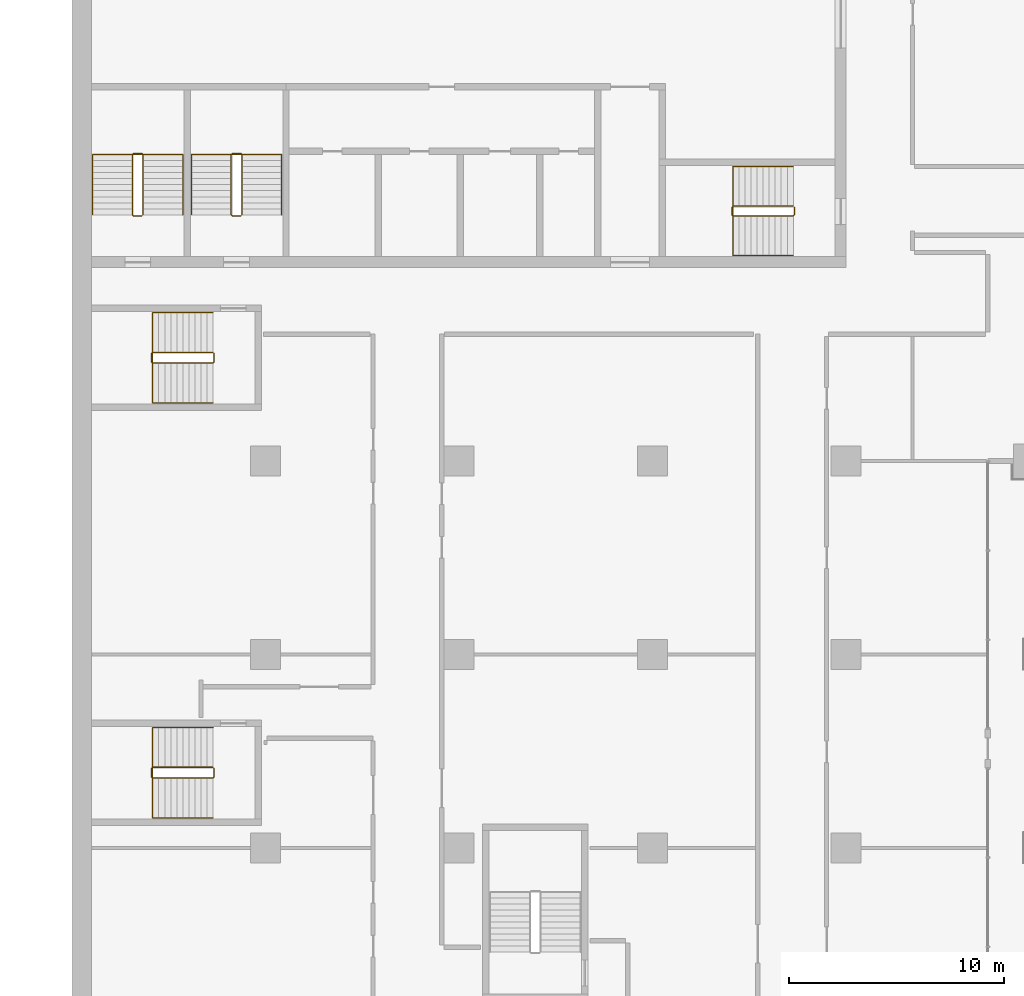
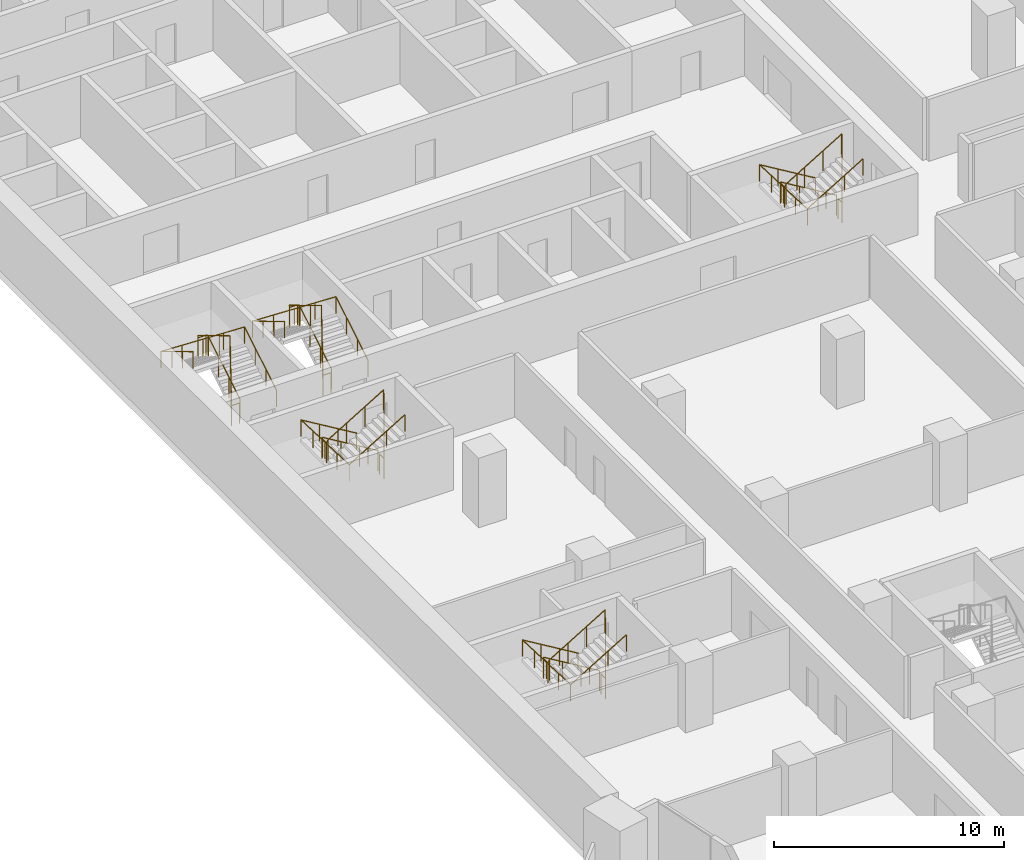
# One storey, part 25 of 28: 10 railings.
"""IFC4 building model written with IfcOpenShell, lengths in metres."""

from ifc_helpers import new_model, si_unit, direction, frame, origin, origin_2d, place, context, subcontext, project, spatial, circle, extrude, material, type_object, element, save


model = new_model("IFC4")

# Units and contexts
model_context = context("Model", 3, precision=1e-05, world=origin(), true_north=direction((0.0, 1.0)))
body_context = subcontext(model_context, "Body", "Model", "MODEL_VIEW")
ifc_project = project(units=[si_unit("LENGTHUNIT", "METRE"), si_unit("AREAUNIT", "SQUARE_METRE"), si_unit("VOLUMEUNIT", "CUBIC_METRE"), si_unit("PLANEANGLEUNIT", "RADIAN"), si_unit("MASSUNIT", "GRAM", prefix="KILO")], contexts=[model_context])

# Site, building, storey
site_placement = place(None, origin())
site = spatial("IfcSite", under=ifc_project, at=site_placement, CompositionType="ELEMENT")
building_placement = place(site_placement, origin())
building = spatial("IfcBuilding", under=site, at=building_placement, Name="Hunhe Ridgeline Campus", CompositionType="ELEMENT")
storey_placement = place(building_placement, frame((0.0, 0.0, 39.5)))
storey = spatial("IfcBuildingStorey", under=building, at=storey_placement, Name="L08", CompositionType="ELEMENT", Elevation=39.5)

# Railings
ifc_material_1 = material(Name="Stainless steel balustrade", Category="steel")
railing_type_1 = type_object("IfcRailingType", Name="Stair guard 1100 stainless", PredefinedType="GUARDRAIL", material=ifc_material_1)
railing_1_placement = place(storey_placement, frame((33.550048828125, 65.85009765625, 0.168212890625)))
element("IfcRailing", 1, at=railing_1_placement, inside=storey, type_object=railing_type_1, Name="L08 stair S2 guard", PredefinedType="GUARDRAIL", context=body_context, shape_type="SweptSolid", body=[
    extrude(circle(Radius=0.02392578125, at=origin_2d()), frame((0.0, 0.0, 1.076171875), z_axis=(-0.857242210791, 0.0, 0.514913383045), x_axis=(0.0, -1.0, 0.0)), (0.0, 0.0, 1.0), 3.266357421875),
    extrude(circle(Radius=0.02392578125, at=origin_2d()), frame((-2.800048828125, 0.0, 2.7578125), z_axis=(-0.707106781187, -0.707106781187, 0.0), x_axis=(0.707106781187, -0.707106781187, 0.0)), (0.0, 0.0, 1.0), 0.07080078125),
    extrude(circle(Radius=0.02392578125, at=origin_2d()), frame((-2.85009765625, -0.050048828125, 2.7578125), z_axis=(0.0, -1.0, 0.0), x_axis=(1.0, 0.0, 0.0)), (0.0, 0.0, 1.0), 0.35009765625),
    extrude(circle(Radius=0.02392578125, at=origin_2d()), frame((-2.85009765625, -0.400146484375, 2.7578125), z_axis=(0.274582412415, -0.274582412415, 0.921525364591), x_axis=(0.707106781187, 0.707106781187, 0.0)), (0.0, 0.0, 1.0), 0.182373046875),
    extrude(circle(Radius=0.02392578125, at=origin_2d()), frame((-2.800048828125, -0.4501953125, 2.92578125), z_axis=(0.857242210791, 0.0, 0.514913383045), x_axis=(0.0, 1.0, 0.0)), (0.0, 0.0, 1.0), 3.266357421875),
    extrude(circle(Radius=0.02392578125, at=origin_2d()), frame((0.0, -0.4501953125, 4.60791015625), z_axis=(0.013524414389, 0.013524414389, -0.999817073484), x_axis=(-0.707106781187, 0.707106781187, 0.0)), (0.0, 0.0, 1.0), 3.70068359375),
    extrude(circle(Radius=0.02392578125, at=origin_2d()), frame((0.050048828125, -0.400146484375, 0.90771484375), z_axis=(0.0, 1.0, 0.0), x_axis=(-1.0, 0.0, 0.0)), (0.0, 0.0, 1.0), 0.35009765625),
    extrude(circle(Radius=0.02099609375, at=origin_2d()), origin(), (0.0, 0.0, 1.0), 1.052001953125),
    extrude(circle(Radius=0.02099609375, at=origin_2d()), frame((-0.933349609375, 0.0, 0.560546875)), (0.0, 0.0, 1.0), 1.052001953125),
    extrude(circle(Radius=0.02099609375, at=origin_2d()), frame((-1.86669921875, 0.0, 1.121337890625)), (0.0, 0.0, 1.0), 1.052001953125),
    extrude(circle(Radius=0.02099609375, at=origin_2d()), frame((-2.800048828125, 0.0, 1.681884765625)), (0.0, 0.0, 1.0), 1.052001953125),
    extrude(circle(Radius=0.02099609375, at=origin_2d()), frame((-2.85009765625, -0.050048828125, 1.681884765625)), (0.0, 0.0, 1.0), 1.052001953125),
    extrude(circle(Radius=0.02099609375, at=origin_2d()), frame((-2.85009765625, -0.400146484375, 1.681884765625)), (0.0, 0.0, 1.0), 1.052001953125),
    extrude(circle(Radius=0.02099609375, at=origin_2d()), frame((-2.800048828125, -0.4501953125, 1.849853515625)), (0.0, 0.0, 1.0), 1.052001953125),
    extrude(circle(Radius=0.02099609375, at=origin_2d()), frame((-1.86669921875, -0.4501953125, 2.410400390625)), (0.0, 0.0, 1.0), 1.052001953125),
    extrude(circle(Radius=0.02099609375, at=origin_2d()), frame((-0.933349609375, -0.4501953125, 2.97119140625)), (0.0, 0.0, 1.0), 1.052001953125),
    extrude(circle(Radius=0.02099609375, at=origin_2d()), frame((0.0, -0.4501953125, 3.53173828125)), (0.0, 0.0, 1.0), 1.052001953125),
    extrude(circle(Radius=0.02099609375, at=origin_2d()), frame((0.012451171875, -0.437744140625, 2.606689453125)), (0.0, 0.0, 1.0), 1.052001953125),
    extrude(circle(Radius=0.02099609375, at=origin_2d()), frame((0.02490234375, -0.42529296875, 1.681640625)), (0.0, 0.0, 1.0), 1.052001953125),
    extrude(circle(Radius=0.02099609375, at=origin_2d()), frame((0.03759765625, -0.41259765625, 0.7568359375)), (0.0, 0.0, 1.0), 1.052001953125),
    extrude(circle(Radius=0.02099609375, at=origin_2d()), frame((0.050048828125, -0.400146484375, -0.168212890625)), (0.0, 0.0, 1.0), 1.052001953125),
    extrude(circle(Radius=0.02099609375, at=origin_2d()), frame((0.050048828125, -0.050048828125, -0.168212890625)), (0.0, 0.0, 1.0), 1.052001953125),
])
railing_2_placement = place(storey_placement, frame((3.300048828125, 65.449951171875, 0.168212890625)))
element("IfcRailing", 2, at=railing_2_placement, inside=storey, type_object=railing_type_1, Name="L08 stair S3 guard", PredefinedType="GUARDRAIL", context=body_context, shape_type="SweptSolid", body=[
    extrude(circle(Radius=0.02392578125, at=origin_2d()), frame((0.0, 0.0, 1.076171875), z_axis=(0.0, 0.857242210791, 0.514913383045), x_axis=(-1.0, 0.0, 0.0)), (0.0, 0.0, 1.0), 3.266357421875),
    extrude(circle(Radius=0.02392578125, at=origin_2d()), frame((0.0, 2.800048828125, 2.7578125), z_axis=(-0.707106781187, 0.707106781187, 0.0), x_axis=(-0.707106781187, -0.707106781187, 0.0)), (0.0, 0.0, 1.0), 0.07080078125),
    extrude(circle(Radius=0.02392578125, at=origin_2d()), frame((-0.050048828125, 2.85009765625, 2.7578125), z_axis=(-1.0, 0.0, 0.0), x_axis=(0.0, -1.0, 0.0)), (0.0, 0.0, 1.0), 0.39990234375),
    extrude(circle(Radius=0.02392578125, at=origin_2d()), frame((-0.449951171875, 2.85009765625, 2.7578125), z_axis=(-0.274582412415, -0.274582412415, 0.921525364591), x_axis=(0.707106781187, -0.707106781187, 0.0)), (0.0, 0.0, 1.0), 0.182373046875),
    extrude(circle(Radius=0.02392578125, at=origin_2d()), frame((-0.5, 2.800048828125, 2.92578125), z_axis=(0.0, -0.857242210791, 0.514913383045), x_axis=(1.0, 0.0, 0.0)), (0.0, 0.0, 1.0), 3.266357421875),
    extrude(circle(Radius=0.02392578125, at=origin_2d()), frame((-0.5, 0.0, 4.60791015625), z_axis=(0.013524414389, -0.013524414389, -0.999817073484), x_axis=(0.707106781187, 0.707106781187, 0.0)), (0.0, 0.0, 1.0), 3.70068359375),
    extrude(circle(Radius=0.02392578125, at=origin_2d()), frame((-0.449951171875, -0.050048828125, 0.90771484375), z_axis=(1.0, 0.0, 0.0), x_axis=(0.0, 1.0, 0.0)), (0.0, 0.0, 1.0), 0.39990234375),
    extrude(circle(Radius=0.02099609375, at=origin_2d()), origin(), (0.0, 0.0, 1.0), 1.052001953125),
    extrude(circle(Radius=0.02099609375, at=origin_2d()), frame((0.0, 0.933349609375, 0.560546875)), (0.0, 0.0, 1.0), 1.052001953125),
    extrude(circle(Radius=0.02099609375, at=origin_2d()), frame((0.0, 1.86669921875, 1.121337890625)), (0.0, 0.0, 1.0), 1.052001953125),
    extrude(circle(Radius=0.02099609375, at=origin_2d()), frame((0.0, 2.800048828125, 1.681884765625)), (0.0, 0.0, 1.0), 1.052001953125),
    extrude(circle(Radius=0.02099609375, at=origin_2d()), frame((-0.050048828125, 2.85009765625, 1.681884765625)), (0.0, 0.0, 1.0), 1.052001953125),
    extrude(circle(Radius=0.02099609375, at=origin_2d()), frame((-0.449951171875, 2.85009765625, 1.681884765625)), (0.0, 0.0, 1.0), 1.052001953125),
    extrude(circle(Radius=0.02099609375, at=origin_2d()), frame((-0.5, 2.800048828125, 1.849853515625)), (0.0, 0.0, 1.0), 1.052001953125),
    extrude(circle(Radius=0.02099609375, at=origin_2d()), frame((-0.5, 1.86669921875, 2.410400390625)), (0.0, 0.0, 1.0), 1.052001953125),
    extrude(circle(Radius=0.02099609375, at=origin_2d()), frame((-0.5, 0.933349609375, 2.97119140625)), (0.0, 0.0, 1.0), 1.052001953125),
    extrude(circle(Radius=0.02099609375, at=origin_2d()), frame((-0.5, 0.0, 3.53173828125)), (0.0, 0.0, 1.0), 1.052001953125),
    extrude(circle(Radius=0.02099609375, at=origin_2d()), frame((-0.487548828125, -0.012451171875, 2.606689453125)), (0.0, 0.0, 1.0), 1.052001953125),
    extrude(circle(Radius=0.02099609375, at=origin_2d()), frame((-0.47509765625, -0.02490234375, 1.681640625)), (0.0, 0.0, 1.0), 1.052001953125),
    extrude(circle(Radius=0.02099609375, at=origin_2d()), frame((-0.46240234375, -0.03759765625, 0.7568359375)), (0.0, 0.0, 1.0), 1.052001953125),
    extrude(circle(Radius=0.02099609375, at=origin_2d()), frame((-0.449951171875, -0.050048828125, -0.168212890625)), (0.0, 0.0, 1.0), 1.052001953125),
    extrude(circle(Radius=0.02099609375, at=origin_2d()), frame((-0.050048828125, -0.050048828125, -0.168212890625)), (0.0, 0.0, 1.0), 1.052001953125),
])
railing_3_placement = place(storey_placement, frame((7.89990234375, 65.449951171875, 0.168212890625)))
element("IfcRailing", 3, at=railing_3_placement, inside=storey, type_object=railing_type_1, Name="L08 stair S4 guard", PredefinedType="GUARDRAIL", context=body_context, shape_type="SweptSolid", body=[
    extrude(circle(Radius=0.02392578125, at=origin_2d()), frame((0.0, 0.0, 1.076171875), z_axis=(0.0, 0.857242210791, 0.514913383045), x_axis=(-1.0, 0.0, 0.0)), (0.0, 0.0, 1.0), 3.266357421875),
    extrude(circle(Radius=0.02392578125, at=origin_2d()), frame((0.0, 2.800048828125, 2.7578125), z_axis=(-0.705375805398, 0.708833529934, 0.0), x_axis=(-0.708833529934, -0.705375805398, 0.0)), (0.0, 0.0, 1.0), 0.070556640625),
    extrude(circle(Radius=0.02392578125, at=origin_2d()), frame((-0.0498046875, 2.85009765625, 2.7578125), z_axis=(-1.0, 0.0, 0.0), x_axis=(0.0, -1.0, 0.0)), (0.0, 0.0, 1.0), 0.400146484375),
    extrude(circle(Radius=0.02392578125, at=origin_2d()), frame((-0.449951171875, 2.85009765625, 2.7578125), z_axis=(-0.274582412415, -0.274582412415, 0.921525364591), x_axis=(0.707106781187, -0.707106781187, 0.0)), (0.0, 0.0, 1.0), 0.182373046875),
    extrude(circle(Radius=0.02392578125, at=origin_2d()), frame((-0.5, 2.800048828125, 2.92578125), z_axis=(0.0, -0.857242210791, 0.514913383045), x_axis=(1.0, 0.0, 0.0)), (0.0, 0.0, 1.0), 3.266357421875),
    extrude(circle(Radius=0.02392578125, at=origin_2d()), frame((-0.5, 0.0, 4.60791015625), z_axis=(0.013524414389, -0.013524414389, -0.999817073484), x_axis=(0.707106781187, 0.707106781187, 0.0)), (0.0, 0.0, 1.0), 3.70068359375),
    extrude(circle(Radius=0.02392578125, at=origin_2d()), frame((-0.449951171875, -0.050048828125, 0.90771484375), z_axis=(1.0, 0.0, 0.0), x_axis=(0.0, 1.0, 0.0)), (0.0, 0.0, 1.0), 0.400146484375),
    extrude(circle(Radius=0.02099609375, at=origin_2d()), origin(), (0.0, 0.0, 1.0), 1.052001953125),
    extrude(circle(Radius=0.02099609375, at=origin_2d()), frame((0.0, 0.933349609375, 0.560546875)), (0.0, 0.0, 1.0), 1.052001953125),
    extrude(circle(Radius=0.02099609375, at=origin_2d()), frame((0.0, 1.86669921875, 1.121337890625)), (0.0, 0.0, 1.0), 1.052001953125),
    extrude(circle(Radius=0.02099609375, at=origin_2d()), frame((0.0, 2.800048828125, 1.681884765625)), (0.0, 0.0, 1.0), 1.052001953125),
    extrude(circle(Radius=0.02099609375, at=origin_2d()), frame((-0.0498046875, 2.85009765625, 1.681884765625)), (0.0, 0.0, 1.0), 1.052001953125),
    extrude(circle(Radius=0.02099609375, at=origin_2d()), frame((-0.449951171875, 2.85009765625, 1.681884765625)), (0.0, 0.0, 1.0), 1.052001953125),
    extrude(circle(Radius=0.02099609375, at=origin_2d()), frame((-0.5, 2.800048828125, 1.849853515625)), (0.0, 0.0, 1.0), 1.052001953125),
    extrude(circle(Radius=0.02099609375, at=origin_2d()), frame((-0.5, 1.86669921875, 2.410400390625)), (0.0, 0.0, 1.0), 1.052001953125),
    extrude(circle(Radius=0.02099609375, at=origin_2d()), frame((-0.5, 0.933349609375, 2.97119140625)), (0.0, 0.0, 1.0), 1.052001953125),
    extrude(circle(Radius=0.02099609375, at=origin_2d()), frame((-0.5, 0.0, 3.53173828125)), (0.0, 0.0, 1.0), 1.052001953125),
    extrude(circle(Radius=0.02099609375, at=origin_2d()), frame((-0.487548828125, -0.012451171875, 2.606689453125)), (0.0, 0.0, 1.0), 1.052001953125),
    extrude(circle(Radius=0.02099609375, at=origin_2d()), frame((-0.47509765625, -0.02490234375, 1.681640625)), (0.0, 0.0, 1.0), 1.052001953125),
    extrude(circle(Radius=0.02099609375, at=origin_2d()), frame((-0.46240234375, -0.03759765625, 0.7568359375)), (0.0, 0.0, 1.0), 1.052001953125),
    extrude(circle(Radius=0.02099609375, at=origin_2d()), frame((-0.449951171875, -0.050048828125, -0.168212890625)), (0.0, 0.0, 1.0), 1.052001953125),
    extrude(circle(Radius=0.02099609375, at=origin_2d()), frame((-0.0498046875, -0.050048828125, -0.168212890625)), (0.0, 0.0, 1.0), 1.052001953125),
])
railing_4_placement = place(storey_placement, frame((6.550048828125, 39.75, 0.168212890625)))
element("IfcRailing", 4, at=railing_4_placement, inside=storey, type_object=railing_type_1, Name="L08 stair W1 guard", PredefinedType="GUARDRAIL", context=body_context, shape_type="SweptSolid", body=[
    extrude(circle(Radius=0.02392578125, at=origin_2d()), frame((0.0, 0.0, 1.076171875), z_axis=(-0.857242210791, 0.0, 0.514913383045), x_axis=(0.0, -1.0, 0.0)), (0.0, 0.0, 1.0), 3.266357421875),
    extrude(circle(Radius=0.02392578125, at=origin_2d()), frame((-2.800048828125, 0.0, 2.7578125), z_axis=(-0.707106781187, -0.707106781187, 0.0), x_axis=(0.707106781187, -0.707106781187, 0.0)), (0.0, 0.0, 1.0), 0.07080078125),
    extrude(circle(Radius=0.02392578125, at=origin_2d()), frame((-2.85009765625, -0.050048828125, 2.7578125), z_axis=(0.0, -1.0, 0.0), x_axis=(1.0, 0.0, 0.0)), (0.0, 0.0, 1.0), 0.39990234375),
    extrude(circle(Radius=0.02392578125, at=origin_2d()), frame((-2.85009765625, -0.449951171875, 2.7578125), z_axis=(0.274582412415, -0.274582412415, 0.921525364591), x_axis=(0.707106781187, 0.707106781187, 0.0)), (0.0, 0.0, 1.0), 0.182373046875),
    extrude(circle(Radius=0.02392578125, at=origin_2d()), frame((-2.800048828125, -0.5, 2.92578125), z_axis=(0.857242210791, 0.0, 0.514913383045), x_axis=(0.0, 1.0, 0.0)), (0.0, 0.0, 1.0), 3.266357421875),
    extrude(circle(Radius=0.02392578125, at=origin_2d()), frame((0.0, -0.5, 4.60791015625), z_axis=(0.013524414389, 0.013524414389, -0.999817073484), x_axis=(-0.707106781187, 0.707106781187, 0.0)), (0.0, 0.0, 1.0), 3.70068359375),
    extrude(circle(Radius=0.02392578125, at=origin_2d()), frame((0.050048828125, -0.449951171875, 0.90771484375), z_axis=(0.0, 1.0, 0.0), x_axis=(-1.0, 0.0, 0.0)), (0.0, 0.0, 1.0), 0.39990234375),
    extrude(circle(Radius=0.02099609375, at=origin_2d()), origin(), (0.0, 0.0, 1.0), 1.052001953125),
    extrude(circle(Radius=0.02099609375, at=origin_2d()), frame((-0.933349609375, 0.0, 0.560546875)), (0.0, 0.0, 1.0), 1.052001953125),
    extrude(circle(Radius=0.02099609375, at=origin_2d()), frame((-1.86669921875, 0.0, 1.121337890625)), (0.0, 0.0, 1.0), 1.052001953125),
    extrude(circle(Radius=0.02099609375, at=origin_2d()), frame((-2.800048828125, 0.0, 1.681884765625)), (0.0, 0.0, 1.0), 1.052001953125),
    extrude(circle(Radius=0.02099609375, at=origin_2d()), frame((-2.85009765625, -0.050048828125, 1.681884765625)), (0.0, 0.0, 1.0), 1.052001953125),
    extrude(circle(Radius=0.02099609375, at=origin_2d()), frame((-2.85009765625, -0.449951171875, 1.681884765625)), (0.0, 0.0, 1.0), 1.052001953125),
    extrude(circle(Radius=0.02099609375, at=origin_2d()), frame((-2.800048828125, -0.5, 1.849853515625)), (0.0, 0.0, 1.0), 1.052001953125),
    extrude(circle(Radius=0.02099609375, at=origin_2d()), frame((-1.86669921875, -0.5, 2.410400390625)), (0.0, 0.0, 1.0), 1.052001953125),
    extrude(circle(Radius=0.02099609375, at=origin_2d()), frame((-0.933349609375, -0.5, 2.97119140625)), (0.0, 0.0, 1.0), 1.052001953125),
    extrude(circle(Radius=0.02099609375, at=origin_2d()), frame((0.0, -0.5, 3.53173828125)), (0.0, 0.0, 1.0), 1.052001953125),
    extrude(circle(Radius=0.02099609375, at=origin_2d()), frame((0.012451171875, -0.487548828125, 2.606689453125)), (0.0, 0.0, 1.0), 1.052001953125),
    extrude(circle(Radius=0.02099609375, at=origin_2d()), frame((0.02490234375, -0.47509765625, 1.681640625)), (0.0, 0.0, 1.0), 1.052001953125),
    extrude(circle(Radius=0.02099609375, at=origin_2d()), frame((0.03759765625, -0.46240234375, 0.7568359375)), (0.0, 0.0, 1.0), 1.052001953125),
    extrude(circle(Radius=0.02099609375, at=origin_2d()), frame((0.050048828125, -0.449951171875, -0.168212890625)), (0.0, 0.0, 1.0), 1.052001953125),
    extrude(circle(Radius=0.02099609375, at=origin_2d()), frame((0.050048828125, -0.050048828125, -0.168212890625)), (0.0, 0.0, 1.0), 1.052001953125),
])
railing_5_placement = place(storey_placement, frame((6.550048828125, 59.050048828125, 0.168212890625)))
element("IfcRailing", 5, at=railing_5_placement, inside=storey, type_object=railing_type_1, Name="L08 stair W2 guard", PredefinedType="GUARDRAIL", context=body_context, shape_type="SweptSolid", body=[
    extrude(circle(Radius=0.02392578125, at=origin_2d()), frame((0.0, 0.0, 1.076171875), z_axis=(-0.857242210791, 0.0, 0.514913383045), x_axis=(0.0, -1.0, 0.0)), (0.0, 0.0, 1.0), 3.266357421875),
    extrude(circle(Radius=0.02392578125, at=origin_2d()), frame((-2.800048828125, 0.0, 2.7578125), z_axis=(-0.707106781187, -0.707106781187, 0.0), x_axis=(0.707106781187, -0.707106781187, 0.0)), (0.0, 0.0, 1.0), 0.07080078125),
    extrude(circle(Radius=0.02392578125, at=origin_2d()), frame((-2.85009765625, -0.050048828125, 2.7578125), z_axis=(0.0, -1.0, 0.0), x_axis=(1.0, 0.0, 0.0)), (0.0, 0.0, 1.0), 0.39990234375),
    extrude(circle(Radius=0.02392578125, at=origin_2d()), frame((-2.85009765625, -0.449951171875, 2.7578125), z_axis=(0.274582412415, -0.274582412415, 0.921525364591), x_axis=(0.707106781187, 0.707106781187, 0.0)), (0.0, 0.0, 1.0), 0.182373046875),
    extrude(circle(Radius=0.02392578125, at=origin_2d()), frame((-2.800048828125, -0.5, 2.92578125), z_axis=(0.857242210791, 0.0, 0.514913383045), x_axis=(0.0, 1.0, 0.0)), (0.0, 0.0, 1.0), 3.266357421875),
    extrude(circle(Radius=0.02392578125, at=origin_2d()), frame((0.0, -0.5, 4.60791015625), z_axis=(0.013524414389, 0.013524414389, -0.999817073484), x_axis=(-0.707106781187, 0.707106781187, 0.0)), (0.0, 0.0, 1.0), 3.70068359375),
    extrude(circle(Radius=0.02392578125, at=origin_2d()), frame((0.050048828125, -0.449951171875, 0.90771484375), z_axis=(0.0, 1.0, 0.0), x_axis=(-1.0, 0.0, 0.0)), (0.0, 0.0, 1.0), 0.39990234375),
    extrude(circle(Radius=0.02099609375, at=origin_2d()), origin(), (0.0, 0.0, 1.0), 1.052001953125),
    extrude(circle(Radius=0.02099609375, at=origin_2d()), frame((-0.933349609375, 0.0, 0.560546875)), (0.0, 0.0, 1.0), 1.052001953125),
    extrude(circle(Radius=0.02099609375, at=origin_2d()), frame((-1.86669921875, 0.0, 1.121337890625)), (0.0, 0.0, 1.0), 1.052001953125),
    extrude(circle(Radius=0.02099609375, at=origin_2d()), frame((-2.800048828125, 0.0, 1.681884765625)), (0.0, 0.0, 1.0), 1.052001953125),
    extrude(circle(Radius=0.02099609375, at=origin_2d()), frame((-2.85009765625, -0.050048828125, 1.681884765625)), (0.0, 0.0, 1.0), 1.052001953125),
    extrude(circle(Radius=0.02099609375, at=origin_2d()), frame((-2.85009765625, -0.449951171875, 1.681884765625)), (0.0, 0.0, 1.0), 1.052001953125),
    extrude(circle(Radius=0.02099609375, at=origin_2d()), frame((-2.800048828125, -0.5, 1.849853515625)), (0.0, 0.0, 1.0), 1.052001953125),
    extrude(circle(Radius=0.02099609375, at=origin_2d()), frame((-1.86669921875, -0.5, 2.410400390625)), (0.0, 0.0, 1.0), 1.052001953125),
    extrude(circle(Radius=0.02099609375, at=origin_2d()), frame((-0.933349609375, -0.5, 2.97119140625)), (0.0, 0.0, 1.0), 1.052001953125),
    extrude(circle(Radius=0.02099609375, at=origin_2d()), frame((0.0, -0.5, 3.53173828125)), (0.0, 0.0, 1.0), 1.052001953125),
    extrude(circle(Radius=0.02099609375, at=origin_2d()), frame((0.012451171875, -0.487548828125, 2.606689453125)), (0.0, 0.0, 1.0), 1.052001953125),
    extrude(circle(Radius=0.02099609375, at=origin_2d()), frame((0.02490234375, -0.47509765625, 1.681640625)), (0.0, 0.0, 1.0), 1.052001953125),
    extrude(circle(Radius=0.02099609375, at=origin_2d()), frame((0.03759765625, -0.46240234375, 0.7568359375)), (0.0, 0.0, 1.0), 1.052001953125),
    extrude(circle(Radius=0.02099609375, at=origin_2d()), frame((0.050048828125, -0.449951171875, -0.168212890625)), (0.0, 0.0, 1.0), 1.052001953125),
    extrude(circle(Radius=0.02099609375, at=origin_2d()), frame((0.050048828125, -0.050048828125, -0.168212890625)), (0.0, 0.0, 1.0), 1.052001953125),
])
ifc_material_2 = material(Name="Stainless steel handrail", Category="steel")
railing_type_2 = type_object("IfcRailingType", Name="Stair handrail 900 stainless", PredefinedType="HANDRAIL", material=ifc_material_2)
railing_6_placement = place(storey_placement, frame((33.550048828125, 67.699951171875, 0.168212890625)))
element("IfcRailing", 6, at=railing_6_placement, inside=storey, type_object=railing_type_2, Name="L08 stair S2 handrail", PredefinedType="HANDRAIL", context=body_context, shape_type="SweptSolid", body=[
    extrude(circle(Radius=0.02392578125, at=origin_2d()), frame((0.0, 0.0, 0.8759765625), z_axis=(-0.857242210791, 0.0, 0.514913383045), x_axis=(0.0, -1.0, 0.0)), (0.0, 0.0, 1.0), 3.266357421875),
    extrude(circle(Radius=0.02392578125, at=origin_2d()), frame((-2.800048828125, 0.0, 2.5576171875), z_axis=(0.0, -0.999181878101, 0.040442236271), x_axis=(1.0, 0.0, 0.0)), (0.0, 0.0, 1.0), 4.1533203125),
    extrude(circle(Radius=0.02392578125, at=origin_2d()), frame((-2.800048828125, -4.14990234375, 2.7255859375), z_axis=(0.857242210791, 0.0, 0.514913383045), x_axis=(0.0, 1.0, 0.0)), (0.0, 0.0, 1.0), 3.266357421875),
    extrude(circle(Radius=0.02099609375, at=origin_2d()), origin(), (0.0, 0.0, 1.0), 0.851806640625),
    extrude(circle(Radius=0.02099609375, at=origin_2d()), frame((-0.933349609375, 0.0, 0.560546875)), (0.0, 0.0, 1.0), 0.851806640625),
    extrude(circle(Radius=0.02099609375, at=origin_2d()), frame((-1.86669921875, 0.0, 1.121337890625)), (0.0, 0.0, 1.0), 0.851806640625),
    extrude(circle(Radius=0.02099609375, at=origin_2d()), frame((-2.800048828125, 0.0, 1.681884765625)), (0.0, 0.0, 1.0), 0.851806640625),
    extrude(circle(Radius=0.02099609375, at=origin_2d()), frame((-2.800048828125, -1.03759765625, 1.723876953125)), (0.0, 0.0, 1.0), 0.851806640625),
    extrude(circle(Radius=0.02099609375, at=origin_2d()), frame((-2.800048828125, -2.074951171875, 1.765869140625)), (0.0, 0.0, 1.0), 0.851806640625),
    extrude(circle(Radius=0.02099609375, at=origin_2d()), frame((-2.800048828125, -3.1123046875, 1.807861328125)), (0.0, 0.0, 1.0), 0.851806640625),
    extrude(circle(Radius=0.02099609375, at=origin_2d()), frame((-2.800048828125, -4.14990234375, 1.849853515625)), (0.0, 0.0, 1.0), 0.851806640625),
    extrude(circle(Radius=0.02099609375, at=origin_2d()), frame((-1.86669921875, -4.14990234375, 2.410400390625)), (0.0, 0.0, 1.0), 0.851806640625),
    extrude(circle(Radius=0.02099609375, at=origin_2d()), frame((-0.933349609375, -4.14990234375, 2.97119140625)), (0.0, 0.0, 1.0), 0.851806640625),
    extrude(circle(Radius=0.02099609375, at=origin_2d()), frame((0.0, -4.14990234375, 3.53173828125)), (0.0, 0.0, 1.0), 0.851806640625),
])
railing_7_placement = place(storey_placement, frame((5.14990234375, 65.449951171875, 0.168212890625)))
element("IfcRailing", 7, at=railing_7_placement, inside=storey, type_object=railing_type_2, Name="L08 stair S3 handrail", PredefinedType="HANDRAIL", context=body_context, shape_type="SweptSolid", body=[
    extrude(circle(Radius=0.02392578125, at=origin_2d()), frame((0.0, 0.0, 0.8759765625), z_axis=(0.0, 0.857242210791, 0.514913383045), x_axis=(-1.0, 0.0, 0.0)), (0.0, 0.0, 1.0), 3.266357421875),
    extrude(circle(Radius=0.02392578125, at=origin_2d()), frame((0.0, 2.800048828125, 2.5576171875), z_axis=(-0.99920123705, 0.0, 0.039961079526), x_axis=(0.0, -1.0, 0.0)), (0.0, 0.0, 1.0), 4.203369140625),
    extrude(circle(Radius=0.02392578125, at=origin_2d()), frame((-4.199951171875, 2.800048828125, 2.7255859375), z_axis=(0.0, -0.857242210791, 0.514913383045), x_axis=(1.0, 0.0, 0.0)), (0.0, 0.0, 1.0), 3.266357421875),
    extrude(circle(Radius=0.02099609375, at=origin_2d()), origin(), (0.0, 0.0, 1.0), 0.851806640625),
    extrude(circle(Radius=0.02099609375, at=origin_2d()), frame((0.0, 0.933349609375, 0.560546875)), (0.0, 0.0, 1.0), 0.851806640625),
    extrude(circle(Radius=0.02099609375, at=origin_2d()), frame((0.0, 1.86669921875, 1.121337890625)), (0.0, 0.0, 1.0), 0.851806640625),
    extrude(circle(Radius=0.02099609375, at=origin_2d()), frame((0.0, 2.800048828125, 1.681884765625)), (0.0, 0.0, 1.0), 0.851806640625),
    extrude(circle(Radius=0.02099609375, at=origin_2d()), frame((-1.050048828125, 2.800048828125, 1.723876953125)), (0.0, 0.0, 1.0), 0.851806640625),
    extrude(circle(Radius=0.02099609375, at=origin_2d()), frame((-2.10009765625, 2.800048828125, 1.765869140625)), (0.0, 0.0, 1.0), 0.851806640625),
    extrude(circle(Radius=0.02099609375, at=origin_2d()), frame((-3.14990234375, 2.800048828125, 1.807861328125)), (0.0, 0.0, 1.0), 0.851806640625),
    extrude(circle(Radius=0.02099609375, at=origin_2d()), frame((-4.199951171875, 2.800048828125, 1.849853515625)), (0.0, 0.0, 1.0), 0.851806640625),
    extrude(circle(Radius=0.02099609375, at=origin_2d()), frame((-4.199951171875, 1.86669921875, 2.410400390625)), (0.0, 0.0, 1.0), 0.851806640625),
    extrude(circle(Radius=0.02099609375, at=origin_2d()), frame((-4.199951171875, 0.933349609375, 2.97119140625)), (0.0, 0.0, 1.0), 0.851806640625),
    extrude(circle(Radius=0.02099609375, at=origin_2d()), frame((-4.199951171875, 0.0, 3.53173828125)), (0.0, 0.0, 1.0), 0.851806640625),
])
railing_8_placement = place(storey_placement, frame((9.75, 65.449951171875, 0.168212890625)))
element("IfcRailing", 8, at=railing_8_placement, inside=storey, type_object=railing_type_2, Name="L08 stair S4 handrail", PredefinedType="HANDRAIL", context=body_context, shape_type="SweptSolid", body=[
    extrude(circle(Radius=0.02392578125, at=origin_2d()), frame((0.0, 0.0, 0.8759765625), z_axis=(0.0, 0.857242210791, 0.514913383045), x_axis=(-1.0, 0.0, 0.0)), (0.0, 0.0, 1.0), 3.266357421875),
    extrude(circle(Radius=0.02392578125, at=origin_2d()), frame((0.0, 2.800048828125, 2.5576171875), z_axis=(-0.99920123705, 0.0, 0.039961079526), x_axis=(0.0, -1.0, 0.0)), (0.0, 0.0, 1.0), 4.203369140625),
    extrude(circle(Radius=0.02392578125, at=origin_2d()), frame((-4.199951171875, 2.800048828125, 2.7255859375), z_axis=(0.0, -0.857242210791, 0.514913383045), x_axis=(1.0, 0.0, 0.0)), (0.0, 0.0, 1.0), 3.266357421875),
    extrude(circle(Radius=0.02099609375, at=origin_2d()), origin(), (0.0, 0.0, 1.0), 0.851806640625),
    extrude(circle(Radius=0.02099609375, at=origin_2d()), frame((0.0, 0.933349609375, 0.560546875)), (0.0, 0.0, 1.0), 0.851806640625),
    extrude(circle(Radius=0.02099609375, at=origin_2d()), frame((0.0, 1.86669921875, 1.121337890625)), (0.0, 0.0, 1.0), 0.851806640625),
    extrude(circle(Radius=0.02099609375, at=origin_2d()), frame((0.0, 2.800048828125, 1.681884765625)), (0.0, 0.0, 1.0), 0.851806640625),
    extrude(circle(Radius=0.02099609375, at=origin_2d()), frame((-1.050048828125, 2.800048828125, 1.723876953125)), (0.0, 0.0, 1.0), 0.851806640625),
    extrude(circle(Radius=0.02099609375, at=origin_2d()), frame((-2.10009765625, 2.800048828125, 1.765869140625)), (0.0, 0.0, 1.0), 0.851806640625),
    extrude(circle(Radius=0.02099609375, at=origin_2d()), frame((-3.14990234375, 2.800048828125, 1.807861328125)), (0.0, 0.0, 1.0), 0.851806640625),
    extrude(circle(Radius=0.02099609375, at=origin_2d()), frame((-4.199951171875, 2.800048828125, 1.849853515625)), (0.0, 0.0, 1.0), 0.851806640625),
    extrude(circle(Radius=0.02099609375, at=origin_2d()), frame((-4.199951171875, 1.86669921875, 2.410400390625)), (0.0, 0.0, 1.0), 0.851806640625),
    extrude(circle(Radius=0.02099609375, at=origin_2d()), frame((-4.199951171875, 0.933349609375, 2.97119140625)), (0.0, 0.0, 1.0), 0.851806640625),
    extrude(circle(Radius=0.02099609375, at=origin_2d()), frame((-4.199951171875, 0.0, 3.53173828125)), (0.0, 0.0, 1.0), 0.851806640625),
])
railing_9_placement = place(storey_placement, frame((6.550048828125, 41.60009765625, 0.168212890625)))
element("IfcRailing", 9, at=railing_9_placement, inside=storey, type_object=railing_type_2, Name="L08 stair W1 handrail", PredefinedType="HANDRAIL", context=body_context, shape_type="SweptSolid", body=[
    extrude(circle(Radius=0.02392578125, at=origin_2d()), frame((0.0, 0.0, 0.8759765625), z_axis=(-0.857242210791, 0.0, 0.514913383045), x_axis=(0.0, -1.0, 0.0)), (0.0, 0.0, 1.0), 3.266357421875),
    extrude(circle(Radius=0.02392578125, at=origin_2d()), frame((-2.800048828125, 0.0, 2.5576171875), z_axis=(0.0, -0.999201329794, 0.039958760457), x_axis=(1.0, 0.0, 0.0)), (0.0, 0.0, 1.0), 4.20361328125),
    extrude(circle(Radius=0.02392578125, at=origin_2d()), frame((-2.800048828125, -4.2001953125, 2.7255859375), z_axis=(0.857242210791, 0.0, 0.514913383045), x_axis=(0.0, 1.0, 0.0)), (0.0, 0.0, 1.0), 3.266357421875),
    extrude(circle(Radius=0.02099609375, at=origin_2d()), origin(), (0.0, 0.0, 1.0), 0.851806640625),
    extrude(circle(Radius=0.02099609375, at=origin_2d()), frame((-0.933349609375, 0.0, 0.560546875)), (0.0, 0.0, 1.0), 0.851806640625),
    extrude(circle(Radius=0.02099609375, at=origin_2d()), frame((-1.86669921875, 0.0, 1.121337890625)), (0.0, 0.0, 1.0), 0.851806640625),
    extrude(circle(Radius=0.02099609375, at=origin_2d()), frame((-2.800048828125, 0.0, 1.681884765625)), (0.0, 0.0, 1.0), 0.851806640625),
    extrude(circle(Radius=0.02099609375, at=origin_2d()), frame((-2.800048828125, -1.050048828125, 1.723876953125)), (0.0, 0.0, 1.0), 0.851806640625),
    extrude(circle(Radius=0.02099609375, at=origin_2d()), frame((-2.800048828125, -2.10009765625, 1.765869140625)), (0.0, 0.0, 1.0), 0.851806640625),
    extrude(circle(Radius=0.02099609375, at=origin_2d()), frame((-2.800048828125, -3.150146484375, 1.807861328125)), (0.0, 0.0, 1.0), 0.851806640625),
    extrude(circle(Radius=0.02099609375, at=origin_2d()), frame((-2.800048828125, -4.2001953125, 1.849853515625)), (0.0, 0.0, 1.0), 0.851806640625),
    extrude(circle(Radius=0.02099609375, at=origin_2d()), frame((-1.86669921875, -4.2001953125, 2.410400390625)), (0.0, 0.0, 1.0), 0.851806640625),
    extrude(circle(Radius=0.02099609375, at=origin_2d()), frame((-0.933349609375, -4.2001953125, 2.97119140625)), (0.0, 0.0, 1.0), 0.851806640625),
    extrude(circle(Radius=0.02099609375, at=origin_2d()), frame((0.0, -4.2001953125, 3.53173828125)), (0.0, 0.0, 1.0), 0.851806640625),
])
railing_10_placement = place(storey_placement, frame((6.550048828125, 60.89990234375, 0.168212890625)))
element("IfcRailing", 10, at=railing_10_placement, inside=storey, type_object=railing_type_2, Name="L08 stair W2 handrail", PredefinedType="HANDRAIL", context=body_context, shape_type="SweptSolid", body=[
    extrude(circle(Radius=0.02392578125, at=origin_2d()), frame((0.0, 0.0, 0.8759765625), z_axis=(-0.857242210791, 0.0, 0.514913383045), x_axis=(0.0, -1.0, 0.0)), (0.0, 0.0, 1.0), 3.266357421875),
    extrude(circle(Radius=0.02392578125, at=origin_2d()), frame((-2.800048828125, 0.0, 2.5576171875), z_axis=(0.0, -0.99920123705, 0.039961079526), x_axis=(1.0, 0.0, 0.0)), (0.0, 0.0, 1.0), 4.203369140625),
    extrude(circle(Radius=0.02392578125, at=origin_2d()), frame((-2.800048828125, -4.199951171875, 2.7255859375), z_axis=(0.857242210791, 0.0, 0.514913383045), x_axis=(0.0, 1.0, 0.0)), (0.0, 0.0, 1.0), 3.266357421875),
    extrude(circle(Radius=0.02099609375, at=origin_2d()), origin(), (0.0, 0.0, 1.0), 0.851806640625),
    extrude(circle(Radius=0.02099609375, at=origin_2d()), frame((-0.933349609375, 0.0, 0.560546875)), (0.0, 0.0, 1.0), 0.851806640625),
    extrude(circle(Radius=0.02099609375, at=origin_2d()), frame((-1.86669921875, 0.0, 1.121337890625)), (0.0, 0.0, 1.0), 0.851806640625),
    extrude(circle(Radius=0.02099609375, at=origin_2d()), frame((-2.800048828125, 0.0, 1.681884765625)), (0.0, 0.0, 1.0), 0.851806640625),
    extrude(circle(Radius=0.02099609375, at=origin_2d()), frame((-2.800048828125, -1.050048828125, 1.723876953125)), (0.0, 0.0, 1.0), 0.851806640625),
    extrude(circle(Radius=0.02099609375, at=origin_2d()), frame((-2.800048828125, -2.10009765625, 1.765869140625)), (0.0, 0.0, 1.0), 0.851806640625),
    extrude(circle(Radius=0.02099609375, at=origin_2d()), frame((-2.800048828125, -3.14990234375, 1.807861328125)), (0.0, 0.0, 1.0), 0.851806640625),
    extrude(circle(Radius=0.02099609375, at=origin_2d()), frame((-2.800048828125, -4.199951171875, 1.849853515625)), (0.0, 0.0, 1.0), 0.851806640625),
    extrude(circle(Radius=0.02099609375, at=origin_2d()), frame((-1.86669921875, -4.199951171875, 2.410400390625)), (0.0, 0.0, 1.0), 0.851806640625),
    extrude(circle(Radius=0.02099609375, at=origin_2d()), frame((-0.933349609375, -4.199951171875, 2.97119140625)), (0.0, 0.0, 1.0), 0.851806640625),
    extrude(circle(Radius=0.02099609375, at=origin_2d()), frame((0.0, -4.199951171875, 3.53173828125)), (0.0, 0.0, 1.0), 0.851806640625),
])

save(model, "model.ifc")
